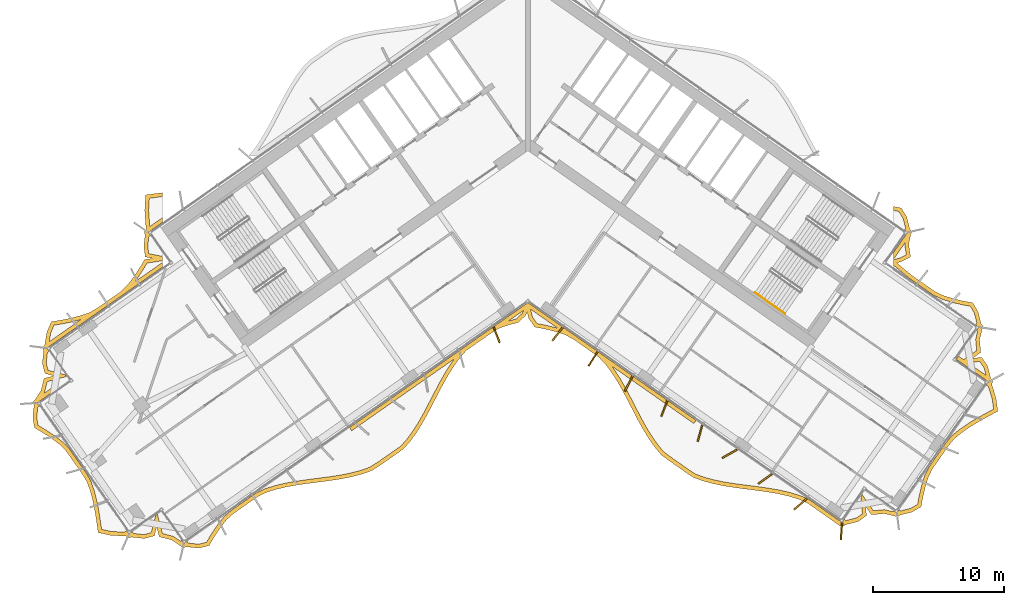
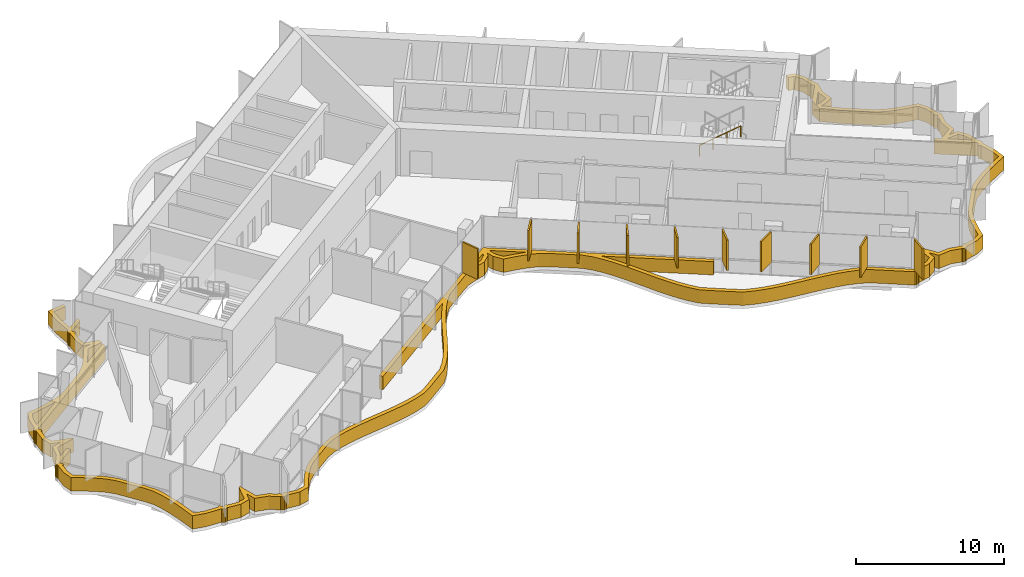
# One storey, part 21 of 23: 11 shading devices, 1 railing.
"""IFC4 building model written with IfcOpenShell, lengths in metres."""

from ifc_helpers import new_model, si_unit, direction, frame, origin, origin_2d, place, context, subcontext, project, spatial, polyline, rectangle, circle, outline, extrude, material, layer, layer_set, type_object, element, save


model = new_model("IFC4")

# Units and contexts
model_context = context("Model", 3, precision=1e-05, world=origin(), true_north=direction((0.0, 1.0)))
body_context = subcontext(model_context, "Body", "Model", "MODEL_VIEW")
ifc_project = project(units=[si_unit("LENGTHUNIT", "METRE"), si_unit("AREAUNIT", "SQUARE_METRE"), si_unit("VOLUMEUNIT", "CUBIC_METRE"), si_unit("PLANEANGLEUNIT", "RADIAN"), si_unit("MASSUNIT", "GRAM", prefix="KILO")], contexts=[model_context])

# Site, building, storey
site_placement = place(None, origin())
site = spatial("IfcSite", under=ifc_project, at=site_placement, CompositionType="ELEMENT")
building_placement = place(site_placement, origin())
building = spatial("IfcBuilding", under=site, at=building_placement, Name="Tel Ilan Convention Tower", CompositionType="ELEMENT")
storey_placement = place(building_placement, frame((0.0, 0.0, 198.300048828125)))
storey = spatial("IfcBuildingStorey", under=building, at=storey_placement, Name="L46", CompositionType="ELEMENT", Elevation=198.300048828125)

# Shading devices
ifc_material_1 = material(Name="Aluminium, bronze anodised", Category="aluminium")
ifc_layer_1 = layer(ifc_material_1, 0.1201171875)
ifc_layer_set_1 = layer_set([ifc_layer_1], Name="FIN BRONZE 1300x120")
shading_device_type_1 = type_object("IfcShadingDeviceType", Name="FIN BRONZE 1300x120", PredefinedType="USERDEFINED", material=ifc_layer_set_1)
for number, where, z_axis, x_axis, name in (
    (1, (-2.383056640625, -15.274169921875, 1.099853515625), (0.0, 0.0, 1.0), (0.360177724803, -0.932883704733, 0.0), "FIN"),
    (2, (2.262451171875, -15.19775390625, 1.099853515625), (0.0, 0.0, 1.0), (-0.612600545196, -0.790392669516, 0.0), "FIN"),
    (3, (4.97607421875, -17.097900390625, 1.099853515625), (0.0, 0.0, 1.0), (-0.533204432798, -0.845986425922, 0.0), "FIN"),
    (4, (7.689697265625, -18.99755859375, 1.099853515625), (0.0, 0.0, 1.0), (-0.448799180206, -0.893632640321, 0.0), "FIN"),
    (5, (10.406005859375, -20.891845703125, 1.099853515625), (0.0, 0.0, 1.0), (-0.360177724803, -0.932883704733, 0.0), "FIN"),
    (6, (13.124755859375, -22.7802734375, 1.099853515625), (0.0, 0.0, 1.0), (-0.268172612768, -0.963370878614, 0.0), "FIN"),
    (7, (15.39501953125, -24.347412109375, 1.099853515625), (0.0, 0.0, 1.0), (-0.866025403784, -0.5, 0.0), "FIN"),
    (8, (18.09423828125, -26.260009765625, 1.099853515625), (0.0, 0.0, 1.0), (-0.813552070258, -0.581492071294, 0.0), "FIN"),
    (9, (20.798583984375, -28.168701171875, 1.099853515625), (0.0, 0.0, 1.0), (-0.753435896329, -0.657521368568, 0.0), "FIN"),
    (10, (23.916748046875, -30.256103515625, 1.099853515625), (0.0, 0.0, 1.0), (-0.067821812994, -0.997697449973, 0.0), "FIN"),
):
    element("IfcShadingDevice", number, at=place(storey_placement, frame(where, z_axis=z_axis, x_axis=x_axis)), inside=storey, type_object=shading_device_type_1, Name=name, ObjectType="FIN", PredefinedType="USERDEFINED", context=body_context, shape_type="SweptSolid", body=[
        extrude(rectangle(XDim=1.300048828125, YDim=0.1201171875, at=origin_2d()), origin(), (0.0, 0.0, 1.0), 2.52001953125),
    ])
ifc_material_2 = material(Name="Aluminium, bronze anodised", Category="aluminium")
ifc_layer_2 = layer(ifc_material_2, 0.300048828125)
ifc_layer_set_2 = layer_set([ifc_layer_2], Name="LOUVRE BAND 300x1100")
shading_device_type_2 = type_object("IfcShadingDeviceType", Name="LOUVRE BAND 300x1100", PredefinedType="USERDEFINED", material=ifc_layer_set_2)
shading_device_placement = place(storey_placement, origin())
element("IfcShadingDevice", 11, at=shading_device_placement, inside=storey, type_object=shading_device_type_2, Name="LOUVRE BAND 36.01", ObjectType="LOUVRE", PredefinedType="USERDEFINED", context=body_context, shape_type="SweptSolid", body=[
    extrude(outline(polyline([(-37.76904296875, -21.58447265625), (-37.634765625, -22.36669921875), (-36.95703125, -22.768310546875), (-36.311767578125, -23.192626953125), (-35.712890625, -23.649169921875), (-35.203857421875, -24.1689453125), (-33.968994140625, -25.932373046875), (-33.60498046875, -26.5537109375), (-33.363525390625, -27.2607421875), (-33.17138671875, -28.002197265625), (-33.01904296875, -28.771728515625), (-32.89599609375, -29.5615234375), (-32.782958984375, -30.358642578125), (-31.836181640625, -30.571533203125), (-30.67138671875, -30.632080078125), (-30.642333984375, -30.67529296875), (-30.544921875, -30.740478515625), (-30.43017578125, -30.76318359375), (-30.3154296875, -30.740478515625), (-30.261474609375, -30.704345703125), (-29.26904296875, -30.81396484375), (-28.4951171875, -30.611572265625), (-28.31640625, -29.930908203125), (-28.12109375, -30.677734375), (-27.170166015625, -30.92724609375), (-26.497802734375, -31.3720703125), (-26.4931640625, -31.368896484375), (-26.464111328125, -31.412109375), (-26.366943359375, -31.47705078125), (-26.251953125, -31.5), (-26.13720703125, -31.47705078125), (-26.083251953125, -31.441162109375), (-25.097412109375, -31.54931640625), (-24.322021484375, -31.357421875), (-23.90576171875, -30.652587890625), (-23.4609375, -29.988525390625), (-22.980224609375, -29.375732421875), (-22.4169921875, -28.880859375), (-20.58544921875, -27.598388671875), (-19.900146484375, -27.277587890625), (-19.150634765625, -27.048583984375), (-18.36669921875, -26.86865234375), (-17.556396484375, -26.726806640625), (-16.728515625, -26.609619140625), (-15.0595703125, -26.39404296875), (-14.239013671875, -26.266845703125), (-13.4404296875, -26.10791015625), (-12.672119140625, -25.90576171875), (-11.941650390625, -25.649658203125), (-11.30908203125, -25.253662109375), (-9.4775390625, -23.97119140625), (-8.9716796875, -23.39404296875), (-8.509033203125, -22.75537109375), (-8.0791015625, -22.0703125), (-7.673583984375, -21.35009765625), (-6.508056640625, -19.1162109375), (-6.103271484375, -18.39501953125), (-5.67431640625, -17.708251953125), (-5.213134765625, -17.067626953125), (-4.7119140625, -16.483642578125), (-2.88037109375, -15.201416015625), (-2.25146484375, -14.800048828125), (-1.5224609375, -14.5419921875), (-0.755615234375, -14.337890625), (-0.200439453125, -13.831298828125), (-0.0556640625, -13.532958984375), (0.067626953125, -14.029296875), (0.522216796875, -14.687255859375), (1.33154296875, -14.8388671875), (2.112060546875, -15.03173828125), (2.855712890625, -15.277099609375), (3.513916015625, -15.644775390625), (5.356689453125, -16.935302734375), (5.888671875, -17.48291015625), (6.36083984375, -18.1162109375), (6.798583984375, -18.798583984375), (7.2099609375, -19.5185546875), (7.6044921875, -20.262451171875), (8.38330078125, -21.765380859375), (8.7880859375, -22.494873046875), (9.2158203125, -23.191162109375), (9.675537109375, -23.84228515625), (10.174072265625, -24.437744140625), (10.778564453125, -24.882080078125), (12.007080078125, -25.742431640625), (12.631103515625, -26.15869140625), (13.361083984375, -26.423828125), (14.1298828125, -26.63330078125), (14.930419921875, -26.79736328125), (15.75439453125, -26.92822265625), (17.432861328125, -27.14599609375), (18.26708984375, -27.26220703125), (19.084228515625, -27.402587890625), (19.875244140625, -27.580322265625), (20.632080078125, -27.80712890625), (21.3291015625, -28.119140625), (23.786376953125, -29.83984375), (23.78955078125, -29.8349609375), (23.843505859375, -29.87109375), (23.95849609375, -29.89404296875), (24.0732421875, -29.87109375), (24.170654296875, -29.80615234375), (24.199462890625, -29.7626953125), (25.16943359375, -29.5263671875), (25.82763671875, -29.071533203125), (25.7626953125, -28.370849609375), (26.201416015625, -29.005615234375), (27.1806640625, -28.9150390625), (27.964599609375, -29.10302734375), (27.9677734375, -29.098388671875), (28.021728515625, -29.134521484375), (28.13671875, -29.1572265625), (28.25146484375, -29.134521484375), (28.3486328125, -29.0693359375), (28.377685546875, -29.026123046875), (29.301025390625, -28.79638671875), (29.989990234375, -28.40283203125), (30.135498046875, -27.628662109375), (30.3134765625, -26.877197265625), (30.537841796875, -26.158203125), (30.85205078125, -25.502197265625), (32.0869140625, -23.738525390625), (32.546142578125, -23.18408203125), (33.1279296875, -22.71533203125), (33.759033203125, -22.28125), (34.43017578125, -21.875), (35.13037109375, -21.489013671875), (35.840576171875, -21.1103515625), (35.717041015625, -20.147705078125), (35.375244140625, -19.032470703125), (35.411376953125, -18.978515625), (35.434326171875, -18.863525390625), (35.411376953125, -18.748779296875), (35.346435546875, -18.6513671875), (35.302978515625, -18.62255859375), (35.066650390625, -17.652587890625), (34.61181640625, -16.994384765625), (33.9111328125, -17.059326171875), (34.5458984375, -16.62060546875), (34.455322265625, -15.641357421875), (34.643310546875, -14.857421875), (34.638671875, -14.854248046875), (34.674560546875, -14.80029296875), (34.697509765625, -14.685546875), (34.674560546875, -14.570556640625), (34.609619140625, -14.473388671875), (34.56640625, -14.4443359375), (34.3369140625, -13.5224609375), (33.945068359375, -12.832763671875), (33.172119140625, -12.68701171875), (32.421630859375, -12.509521484375), (31.703369140625, -12.285888671875), (31.047119140625, -11.973388671875), (29.2861328125, -10.740234375), (28.730712890625, -10.28369140625), (28.18212890625, -9.817626953125), (28.123291015625, -9.789794921875), (28.491455078125, -9.6953125), (29.19384765625, -9.332763671875), (29.044921875, -8.373779296875), (29.20458984375, -7.631103515625), (29.199951171875, -7.6279296875), (29.236083984375, -7.57373046875), (29.2587890625, -7.458984375), (29.236083984375, -7.34423828125), (29.1708984375, -7.246826171875), (29.127685546875, -7.218017578125), (28.894287109375, -6.267333984375), (28.465576171875, -5.595458984375), (27.874755859375, -5.485595703125), (27.874755859375, -5.790771484375), (28.28271484375, -5.86669921875), (28.614990234375, -6.387451171875), (28.806640625, -7.1533203125), (28.713134765625, -7.286865234375), (28.958740234375, -7.458984375), (27.874755859375, -9.007080078125), (27.874755859375, -9.530029296875), (28.76171875, -8.263671875), (28.73974609375, -8.364990234375), (28.8642578125, -9.165283203125), (28.3837890625, -9.413330078125), (27.874755859375, -9.5439453125), (27.874755859375, -10.004150390625), (28.01806640625, -10.072021484375), (28.538330078125, -10.513916015625), (29.1044921875, -10.979248046875), (30.895751953125, -12.2333984375), (31.593505859375, -12.56591796875), (32.34228515625, -12.799072265625), (33.10986328125, -12.980712890625), (33.7529296875, -13.101806640625), (34.05615234375, -13.635498046875), (34.244873046875, -14.380126953125), (34.15185546875, -14.513427734375), (34.3974609375, -14.685546875), (34.22607421875, -14.931640625), (34.303955078125, -14.986083984375), (34.15185546875, -15.61962890625), (34.23095703125, -16.473388671875), (33.23095703125, -17.164794921875), (32.848876953125, -16.897216796875), (32.6767578125, -17.142822265625), (35.13427734375, -18.863525390625), (34.962158203125, -19.109375), (35.123046875, -19.221923828125), (35.422607421875, -20.210693359375), (35.5166015625, -20.943115234375), (34.280029296875, -21.615234375), (33.59619140625, -22.029052734375), (32.94873046875, -22.474609375), (32.33447265625, -22.96923828125), (31.84814453125, -23.556640625), (30.59228515625, -25.350341796875), (30.258056640625, -26.04833984375), (30.024169921875, -26.7978515625), (29.842041015625, -27.56640625), (29.720703125, -28.211181640625), (29.187744140625, -28.515625), (28.44189453125, -28.704833984375), (28.30859375, -28.611572265625), (28.13671875, -28.857177734375), (27.890380859375, -28.685791015625), (27.8359375, -28.763671875), (27.202392578125, -28.61181640625), (26.3486328125, -28.690673828125), (25.475341796875, -27.427490234375), (25.385986328125, -27.555419921875), (25.5126953125, -28.924560546875), (25.044189453125, -29.24853515625), (24.264404296875, -29.44189453125), (24.13037109375, -29.34814453125), (23.95849609375, -29.593994140625), (21.477783203125, -27.85693359375), (20.73681640625, -27.525390625), (19.951416015625, -27.2900390625), (19.142578125, -27.108154296875), (18.313232421875, -26.9658203125), (17.472412109375, -26.8486328125), (15.797607421875, -26.63134765625), (14.984130859375, -26.502197265625), (14.199462890625, -26.34130859375), (13.451904296875, -26.137451171875), (12.767578125, -25.88916015625), (12.176513671875, -25.494873046875), (10.953369140625, -24.638427734375), (10.380859375, -24.217529296875), (9.91357421875, -23.6591796875), (9.466552734375, -23.02587890625), (9.047119140625, -22.343505859375), (8.6474609375, -21.623291015625), (7.870361328125, -20.123779296875), (7.472900390625, -19.373779296875), (7.05517578125, -18.64306640625), (6.607666015625, -17.945556640625), (6.398193359375, -17.664306640625), (12.656982421875, -22.046875), (12.828857421875, -21.801025390625), (0.0, -12.818115234375), (-13.611572265625, -22.34912109375), (-13.439697265625, -22.594970703125), (-5.6201171875, -17.11962890625), (-5.923583984375, -17.541015625), (-6.361572265625, -18.241943359375), (-6.771728515625, -18.972900390625), (-7.93701171875, -21.20654296875), (-8.3369140625, -21.916748046875), (-8.7578125, -22.587646484375), (-9.20654296875, -23.206787109375), (-9.67919921875, -23.746337890625), (-11.474853515625, -25.00341796875), (-12.072509765625, -25.377685546875), (-12.760009765625, -25.61865234375), (-13.5078125, -25.8154296875), (-14.291259765625, -25.97119140625), (-15.102294921875, -26.09716796875), (-16.768310546875, -26.312255859375), (-17.603271484375, -26.430419921875), (-18.42626953125, -26.57470703125), (-19.22802734375, -26.7587890625), (-20.008056640625, -26.9970703125), (-20.736083984375, -27.337646484375), (-22.6025390625, -28.64453125), (-23.198974609375, -29.168701171875), (-23.7041015625, -29.81201171875), (-24.159912109375, -30.49267578125), (-24.516357421875, -31.096435546875), (-25.118408203125, -31.24560546875), (-25.91259765625, -31.161865234375), (-26.005859375, -31.028564453125), (-26.251953125, -31.199951171875), (-26.424072265625, -30.954345703125), (-26.502685546875, -31.00927734375), (-27.0458984375, -30.649658203125), (-27.875244140625, -30.43212890625), (-28.263916015625, -28.9462890625), (-28.3916015625, -29.035888671875), (-28.74072265625, -30.36572265625), (-29.2919921875, -30.510009765625), (-30.0908203125, -30.425048828125), (-30.18408203125, -30.291748046875), (-30.43017578125, -30.46337890625), (-30.602294921875, -30.217529296875), (-30.76318359375, -30.330078125), (-31.794677734375, -30.2734375), (-32.51513671875, -30.111328125), (-32.7236328125, -28.719482421875), (-32.878662109375, -27.935302734375), (-33.075927734375, -27.174560546875), (-33.330810546875, -26.427978515625), (-33.71630859375, -25.770263671875), (-34.97216796875, -23.9765625), (-35.513671875, -23.423828125), (-36.13818359375, -22.947509765625), (-36.798095703125, -22.513671875), (-37.362548828125, -22.17919921875), (-37.46630859375, -21.573974609375), (-37.388916015625, -20.80859375), (-37.255859375, -20.71533203125), (-37.427734375, -20.4697265625), (-35.99462890625, -19.466064453125), (-36.166748046875, -19.22021484375), (-36.929931640625, -19.754638671875), (-36.877685546875, -19.675537109375), (-36.659912109375, -18.846435546875), (-35.17431640625, -18.457763671875), (-35.263671875, -18.330078125), (-36.59375, -17.98095703125), (-36.73779296875, -17.4296875), (-36.653076171875, -16.630859375), (-36.51904296875, -16.537109375), (-36.691162109375, -16.29150390625), (-27.874755859375, -10.1181640625), (-27.874755859375, -9.751953125), (-29.961181640625, -11.212890625), (-29.81787109375, -11.02392578125), (-29.38818359375, -10.3681640625), (-29.05712890625, -9.8115234375), (-27.874755859375, -9.6240234375), (-27.874755859375, -9.287353515625), (-28.923828125, -9.080322265625), (-28.992431640625, -8.5439453125), (-28.91943359375, -7.797607421875), (-28.787353515625, -7.705322265625), (-28.958740234375, -7.458984375), (-27.874755859375, -6.699951171875), (-27.874755859375, -6.333740234375), (-28.84423828125, -7.0126953125), (-28.93115234375, -5.783447265625), (-28.876953125, -4.86572265625), (-27.874755859375, -4.735107421875), (-27.874755859375, -4.4326171875), (-29.161865234375, -4.60107421875), (-29.231689453125, -5.78515625), (-29.127685546875, -7.218017578125), (-29.1708984375, -7.246826171875), (-29.236083984375, -7.34423828125), (-29.2587890625, -7.458984375), (-29.236083984375, -7.57373046875), (-29.199951171875, -7.6279296875), (-29.29443359375, -8.548583984375), (-29.19384765625, -9.332763671875), (-28.64111328125, -9.44189453125), (-29.2431640625, -9.537353515625), (-29.642578125, -10.209228515625), (-30.06298828125, -10.850830078125), (-30.515380859375, -11.447021484375), (-31.02685546875, -11.958984375), (-32.777587890625, -13.18505859375), (-33.387451171875, -13.55615234375), (-34.086669921875, -13.7998046875), (-34.8203125, -13.994384765625), (-35.58203125, -14.148681640625), (-36.35986328125, -14.280029296875), (-36.686767578125, -15.055419921875), (-36.85986328125, -16.05029296875), (-36.9033203125, -16.079345703125), (-36.96826171875, -16.1767578125), (-36.9912109375, -16.29150390625), (-36.96826171875, -16.40625), (-36.93212890625, -16.460205078125), (-37.0419921875, -17.45263671875), (-36.839599609375, -18.2265625), (-36.15869140625, -18.4052734375), (-36.905517578125, -18.6005859375), (-37.1552734375, -19.551513671875), (-37.599853515625, -20.223876953125), (-37.5966796875, -20.228515625), (-37.639892578125, -20.257568359375), (-37.705078125, -20.354736328125), (-37.727783203125, -20.4697265625), (-37.705078125, -20.58447265625), (-37.6689453125, -20.638427734375), (-37.76904296875, -21.58447265625)]), holes=[polyline([(34.46484375, -17.309326171875), (34.788818359375, -17.77783203125), (34.93212890625, -18.35595703125), (33.5576171875, -17.393310546875), (34.46484375, -17.309326171875)]), polyline([(0.69873046875, -14.4150390625), (0.345458984375, -13.90380859375), (0.2021484375, -13.325927734375), (2.25439453125, -14.762939453125), (1.395263671875, -14.54541015625), (0.69873046875, -14.4150390625)]), polyline([(-1.47900390625, -14.219970703125), (-0.3330078125, -13.41748046875), (-0.445068359375, -13.6484375), (-0.903564453125, -14.06689453125), (-1.47900390625, -14.219970703125)]), polyline([(-35.52734375, -14.443603515625), (-34.751953125, -14.28662109375), (-34.106689453125, -14.115478515625), (-36.51513671875, -15.802001953125), (-36.3974609375, -15.14111328125), (-36.1474609375, -14.54833984375), (-35.52734375, -14.443603515625)])]), origin(), (0.0, 0.0, 1.0), 1.099853515625),
])

# Railing
ifc_material_3 = material(Name="Stainless Steel Grade 316", Category="steel")
railing_type = type_object("IfcRailingType", Name="Stainless Steel Stair Handrail 900 mm", PredefinedType="HANDRAIL", material=ifc_material_3)
railing_placement = place(storey_placement, frame((17.312744140625, -12.0615234375, 2.127197265625)))
element("IfcRailing", 12, at=railing_placement, inside=storey, type_object=railing_type, Name="L46 S4 stair handrail 2", PredefinedType="HANDRAIL", context=body_context, shape_type="SweptSolid", body=[
    extrude(circle(Radius=0.02392578125, at=origin_2d()), frame((0.0, 0.0, 0.8759765625), z_axis=(0.692123088272, -0.484596665743, 0.534912798717), x_axis=(0.573550118428, 0.819170471667, 0.0)), (0.0, 0.0, 1.0), 3.31396484375),
    extrude(circle(Radius=0.02099609375, at=origin_2d()), origin(), (0.0, 0.0, 1.0), 0.851806640625),
    extrude(circle(Radius=0.02099609375, at=origin_2d()), frame((0.7646484375, -0.535400390625, 0.5908203125)), (0.0, 0.0, 1.0), 0.851806640625),
    extrude(circle(Radius=0.02099609375, at=origin_2d()), frame((1.529052734375, -1.070556640625, 1.181884765625)), (0.0, 0.0, 1.0), 0.851806640625),
    extrude(circle(Radius=0.02099609375, at=origin_2d()), frame((2.293701171875, -1.60595703125, 1.772705078125)), (0.0, 0.0, 1.0), 0.851806640625),
])

save(model, "model.ifc")
